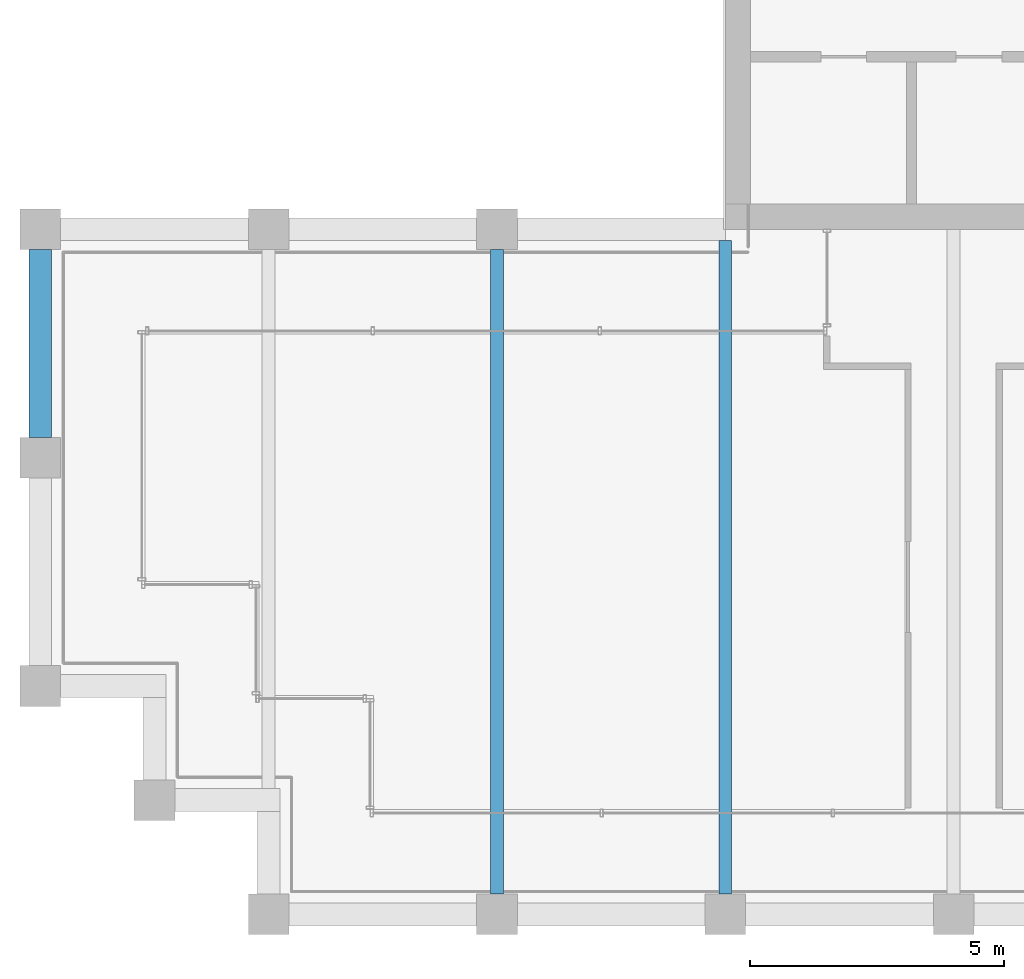
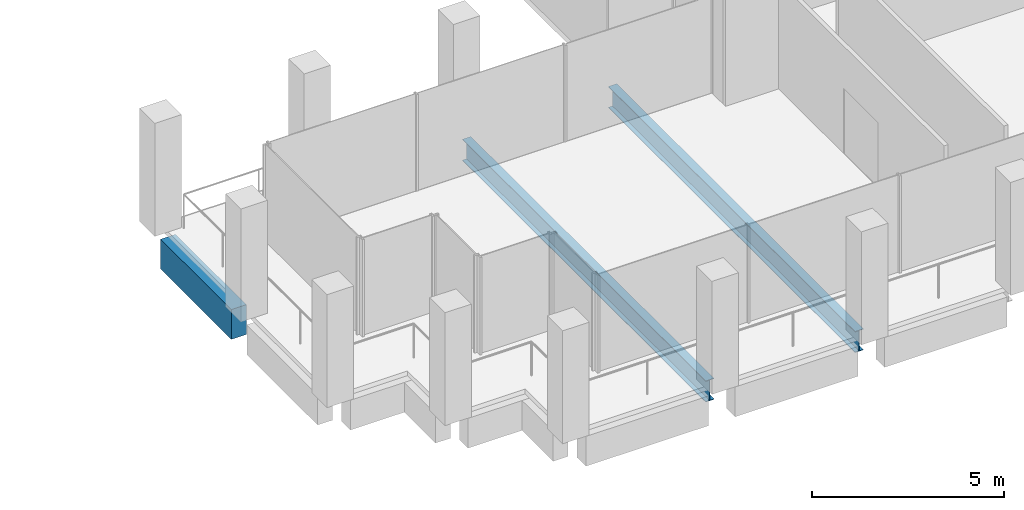
# One storey, part 4 of 41: 3 beams.
"""IFC4 building model written with IfcOpenShell, lengths in metres."""

from ifc_helpers import new_model, si_unit, direction, frame, origin, origin_2d, place, context, subcontext, project, spatial, rectangle, i_section, extrude, material, material_profile, profile_set, type_object, element, save


model = new_model("IFC4")

# Units and contexts
model_context = context("Model", 3, precision=1e-05, world=origin(), true_north=direction((0.0, 1.0)))
body_context = subcontext(model_context, "Body", "Model", "MODEL_VIEW")
ifc_project = project(units=[si_unit("LENGTHUNIT", "METRE"), si_unit("AREAUNIT", "SQUARE_METRE"), si_unit("VOLUMEUNIT", "CUBIC_METRE"), si_unit("PLANEANGLEUNIT", "RADIAN"), si_unit("MASSUNIT", "GRAM", prefix="KILO")], contexts=[model_context])

# Site, building, storey
site_placement = place(None, origin())
site = spatial("IfcSite", under=ifc_project, at=site_placement, CompositionType="ELEMENT")
building_placement = place(site_placement, origin())
building = spatial("IfcBuilding", under=site, at=building_placement, Name="Altepetl Exchange Towers", CompositionType="ELEMENT")
storey_placement = place(building_placement, frame((0.0, 0.0, 206.39990234375)))
storey = spatial("IfcBuildingStorey", under=building, at=storey_placement, Name="L52", CompositionType="ELEMENT", Elevation=206.39990234375)

# Beams
ifc_material_1 = material(Name="Steel S355", Category="steel")
ifc_material_profile_1 = material_profile(ifc_material_1, i_section(OverallWidth=0.2529296875, OverallDepth=0.677978515625, WebThickness=0.01171875, FlangeThickness=0.016357421875, at=origin_2d()), Name="W27X84")
ifc_profile_set_1 = profile_set([ifc_material_profile_1], Name="Steel S355")
beam_type_1 = type_object("IfcBeamType", Name="Floor beam W27X84", PredefinedType="BEAM", material=ifc_profile_set_1)
beam_1_placement = place(storey_placement, frame((36.0, 27.39990234375, -0.489013671875), z_axis=(0.0, 1.0, 0.0), x_axis=(-1.0, 0.0, 0.0)))
element("IfcBeam", 1, at=beam_1_placement, inside=storey, type_object=beam_type_1, Name="bm:A:L52:013", PredefinedType="BEAM", context=body_context, shape_type="SweptSolid", body=[
    extrude(i_section(OverallWidth=0.2529296875, OverallDepth=0.677978515625, WebThickness=0.01171875, FlangeThickness=0.016357421875, at=origin_2d()), origin(), (0.0, 0.0, 1.0), 12.7001953125),
])
beam_2_placement = place(storey_placement, frame((40.5, 27.39990234375, -0.489013671875), z_axis=(0.0, 1.0, 0.0), x_axis=(-1.0, 0.0, 0.0)))
element("IfcBeam", 2, at=beam_2_placement, inside=storey, type_object=beam_type_1, Name="bm:A:L52:014", PredefinedType="BEAM", context=body_context, shape_type="SweptSolid", body=[
    extrude(i_section(OverallWidth=0.2529296875, OverallDepth=0.677978515625, WebThickness=0.01171875, FlangeThickness=0.016357421875, at=origin_2d()), origin(), (0.0, 0.0, 1.0), 12.875),
])
ifc_material_2 = material(Name="Concrete C50/60 precast with cantera blanca facing", Category="concrete")
ifc_material_profile_2 = material_profile(ifc_material_2, rectangle(XDim=0.449951171875, YDim=0.949951171875, at=origin_2d()), Name="450 x 950")
ifc_profile_set_2 = profile_set([ifc_material_profile_2], Name="Concrete C50/60 precast with cantera blanca facing")
beam_type_2 = type_object("IfcBeamType", Name="Spandrel beam 450x950 cantera blanca", PredefinedType="SPANDREL", material=ifc_profile_set_2)
beam_3_placement = place(storey_placement, frame((27.0, 40.10009765625, -0.625), z_axis=(0.0, -1.0, 0.0), x_axis=(1.0, 0.0, 0.0)))
element("IfcBeam", 3, at=beam_3_placement, inside=storey, type_object=beam_type_2, Name="sp:A:L52:036", PredefinedType="SPANDREL", context=body_context, shape_type="SweptSolid", body=[
    extrude(rectangle(XDim=0.449951171875, YDim=0.949951171875, at=origin_2d()), origin(), (0.0, 0.0, 1.0), 3.7001953125),
])

save(model, "model.ifc")
